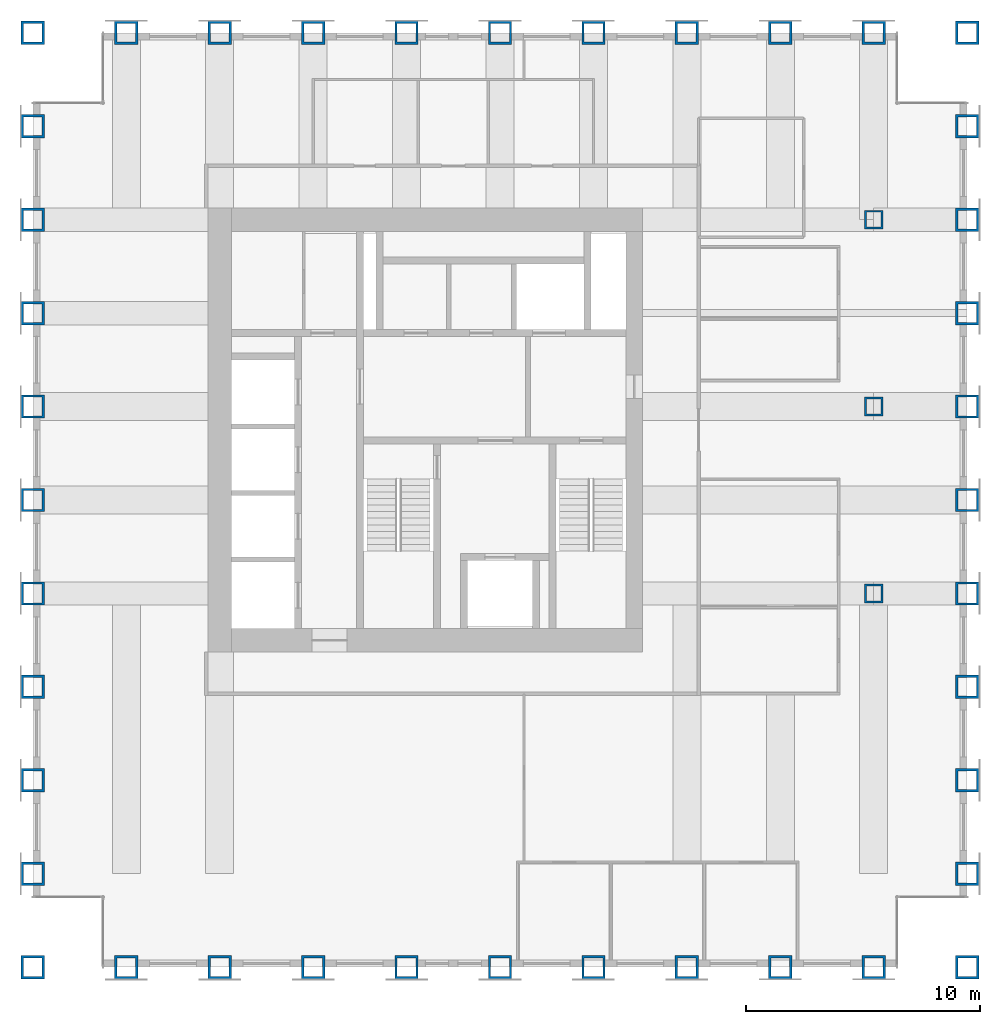
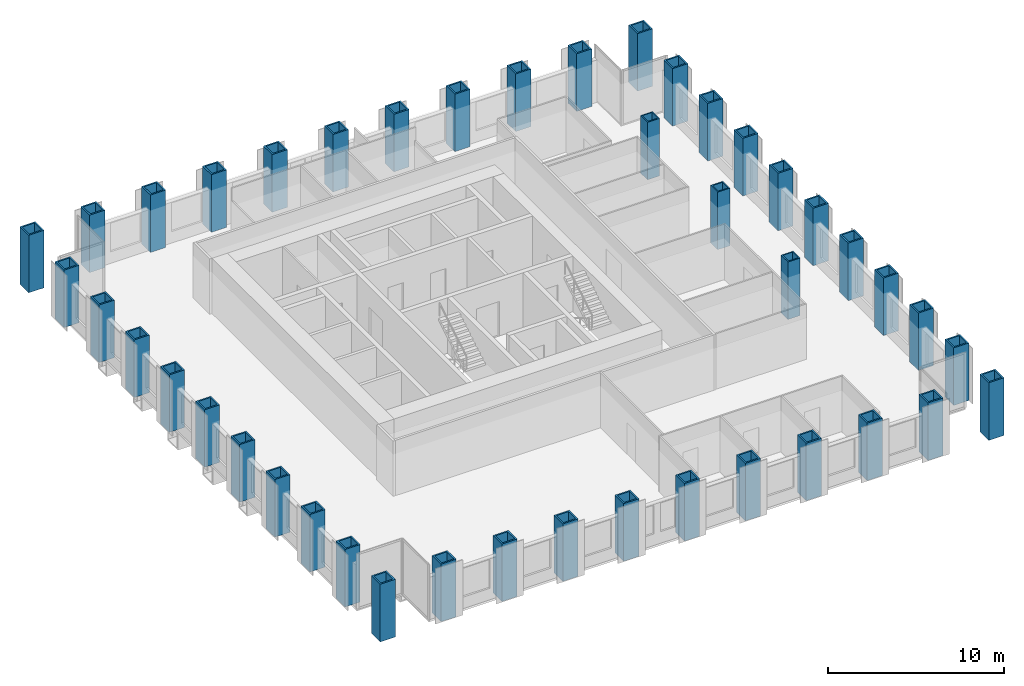
# One storey, part 1 of 11: 43 columns.
"""IFC4 building model written with IfcOpenShell, lengths in metres."""

from ifc_helpers import new_model, si_unit, direction, frame, origin, origin_2d, place, context, subcontext, project, spatial, hollow_rectangle, extrude, material, material_profile, profile_set, type_object, element, save


model = new_model("IFC4")

# Units and contexts
model_context = context("Model", 3, precision=1e-05, world=origin(), true_north=direction((0.0, 1.0)))
body_context = subcontext(model_context, "Body", "Model", "MODEL_VIEW")
ifc_project = project(units=[si_unit("LENGTHUNIT", "METRE"), si_unit("AREAUNIT", "SQUARE_METRE"), si_unit("VOLUMEUNIT", "CUBIC_METRE"), si_unit("PLANEANGLEUNIT", "RADIAN"), si_unit("MASSUNIT", "GRAM", prefix="KILO")], contexts=[model_context])

# Site, building, storey
site_placement = place(None, origin())
site = spatial("IfcSite", under=ifc_project, at=site_placement, CompositionType="ELEMENT")
building_placement = place(site_placement, origin())
building = spatial("IfcBuilding", under=site, at=building_placement, Name="Rimbunsela Tower", CompositionType="ELEMENT")
storey_placement = place(building_placement, frame((0.0, 0.0, 242.199951171875)))
storey = spatial("IfcBuildingStorey", under=building, at=storey_placement, Name="L58", CompositionType="ELEMENT", Elevation=242.199951171875)

# Columns
ifc_material_1 = material(Name="Steel BJ 55 (fy 410 MPa)", Category="steel")
ifc_material_profile_1 = material_profile(ifc_material_1, hollow_rectangle(XDim=1.0, YDim=1.0, WallThickness=0.10009765625, at=origin_2d()), Name="BOX 1000x1000x100")
ifc_profile_set_1 = profile_set([ifc_material_profile_1], Name="Steel BJ 55 (fy 410 MPa)")
column_type_1 = type_object("IfcColumnType", Name="Column BOX 1000x1000x100", PredefinedType="COLUMN", material=ifc_profile_set_1)
for number, where, z_axis, x_axis, name in (
    (1, (10.0, 4.0, 0.0), (0.0, 0.0, 1.0), (1.0, 0.0, 0.0), "Column C1 5/C L58"),
    (2, (10.0, 8.0, 0.0), (0.0, 0.0, 1.0), (1.0, 0.0, 0.0), "Column C1 5/D L58"),
    (3, (10.0, 12.0, 0.0), (0.0, 0.0, 1.0), (1.0, 0.0, 0.0), "Column C1 5/E L58"),
    (4, (10.0, 16.0, 0.0), (0.0, 0.0, 1.0), (1.0, 0.0, 0.0), "Column C1 5/F L58"),
    (5, (10.0, 20.0, 0.0), (0.0, 0.0, 1.0), (1.0, 0.0, 0.0), "Column C1 5/G L58"),
    (6, (10.0, 24.0, 0.0), (0.0, 0.0, 1.0), (1.0, 0.0, 0.0), "Column C1 5/H L58"),
    (7, (10.0, 28.0, 0.0), (0.0, 0.0, 1.0), (1.0, 0.0, 0.0), "Column C1 5/J L58"),
    (8, (10.0, 32.0, 0.0), (0.0, 0.0, 1.0), (1.0, 0.0, 0.0), "Column C1 5/K L58"),
    (9, (10.0, 36.0, 0.0), (0.0, 0.0, 1.0), (1.0, 0.0, 0.0), "Column C1 5/L L58"),
    (10, (10.0, 40.0, 0.0), (0.0, 0.0, 1.0), (1.0, 0.0, 0.0), "Column C1 5/M L58"),
    (11, (10.0, 44.0, 0.0), (0.0, 0.0, 1.0), (1.0, 0.0, 0.0), "Column C1 5/N L58"),
    (12, (14.0, 4.0, 0.0), (0.0, 0.0, 1.0), (1.0, 0.0, 0.0), "Column C1 6/C L58"),
    (13, (14.0, 44.0, 0.0), (0.0, 0.0, 1.0), (1.0, 0.0, 0.0), "Column C1 6/N L58"),
    (14, (18.0, 4.0, 0.0), (0.0, 0.0, 1.0), (1.0, 0.0, 0.0), "Column C1 7/C L58"),
    (15, (18.0, 44.0, 0.0), (0.0, 0.0, 1.0), (1.0, 0.0, 0.0), "Column C1 7/N L58"),
    (16, (22.0, 4.0, 0.0), (0.0, 0.0, 1.0), (1.0, 0.0, 0.0), "Column C1 8/C L58"),
    (17, (22.0, 44.0, 0.0), (0.0, 0.0, 1.0), (1.0, 0.0, 0.0), "Column C1 8/N L58"),
    (18, (26.0, 4.0, 0.0), (0.0, 0.0, 1.0), (1.0, 0.0, 0.0), "Column C1 9/C L58"),
    (19, (26.0, 44.0, 0.0), (0.0, 0.0, 1.0), (1.0, 0.0, 0.0), "Column C1 9/N L58"),
    (20, (30.0, 4.0, 0.0), (0.0, 0.0, 1.0), (1.0, 0.0, 0.0), "Column C1 10/C L58"),
    (21, (30.0, 44.0, 0.0), (0.0, 0.0, 1.0), (1.0, 0.0, 0.0), "Column C1 10/N L58"),
    (22, (34.0, 4.0, 0.0), (0.0, 0.0, 1.0), (1.0, 0.0, 0.0), "Column C1 11/C L58"),
    (23, (34.0, 44.0, 0.0), (0.0, 0.0, 1.0), (1.0, 0.0, 0.0), "Column C1 11/N L58"),
    (24, (38.0, 4.0, 0.0), (0.0, 0.0, 1.0), (1.0, 0.0, 0.0), "Column C1 12/C L58"),
    (25, (38.0, 44.0, 0.0), (0.0, 0.0, 1.0), (1.0, 0.0, 0.0), "Column C1 12/N L58"),
    (26, (42.0, 4.0, 0.0), (0.0, 0.0, 1.0), (1.0, 0.0, 0.0), "Column C1 13/C L58"),
    (27, (42.0, 44.0, 0.0), (0.0, 0.0, 1.0), (1.0, 0.0, 0.0), "Column C1 13/N L58"),
    (28, (46.0, 4.0, 0.0), (0.0, 0.0, 1.0), (1.0, 0.0, 0.0), "Column C1 14/C L58"),
    (29, (46.0, 44.0, 0.0), (0.0, 0.0, 1.0), (1.0, 0.0, 0.0), "Column C1 14/N L58"),
    (30, (50.0, 4.0, 0.0), (0.0, 0.0, 1.0), (1.0, 0.0, 0.0), "Column C1 15/C L58"),
    (31, (50.0, 8.0, 0.0), (0.0, 0.0, 1.0), (1.0, 0.0, 0.0), "Column C1 15/D L58"),
    (32, (50.0, 12.0, 0.0), (0.0, 0.0, 1.0), (1.0, 0.0, 0.0), "Column C1 15/E L58"),
    (33, (50.0, 16.0, 0.0), (0.0, 0.0, 1.0), (1.0, 0.0, 0.0), "Column C1 15/F L58"),
    (34, (50.0, 20.0, 0.0), (0.0, 0.0, 1.0), (1.0, 0.0, 0.0), "Column C1 15/G L58"),
    (35, (50.0, 24.0, 0.0), (0.0, 0.0, 1.0), (1.0, 0.0, 0.0), "Column C1 15/H L58"),
    (36, (50.0, 28.0, 0.0), (0.0, 0.0, 1.0), (1.0, 0.0, 0.0), "Column C1 15/J L58"),
    (37, (50.0, 32.0, 0.0), (0.0, 0.0, 1.0), (1.0, 0.0, 0.0), "Column C1 15/K L58"),
    (38, (50.0, 36.0, 0.0), (0.0, 0.0, 1.0), (1.0, 0.0, 0.0), "Column C1 15/L L58"),
    (39, (50.0, 40.0, 0.0), (0.0, 0.0, 1.0), (1.0, 0.0, 0.0), "Column C1 15/M L58"),
    (40, (50.0, 44.0, 0.0), (0.0, 0.0, 1.0), (1.0, 0.0, 0.0), "Column C1 15/N L58"),
):
    element("IfcColumn", number, at=place(storey_placement, frame(where, z_axis=z_axis, x_axis=x_axis)), inside=storey, type_object=column_type_1, Name=name, PredefinedType="COLUMN", context=body_context, shape_type="SweptSolid", body=[
        extrude(hollow_rectangle(XDim=1.0, YDim=1.0, WallThickness=0.10009765625, at=origin_2d()), origin(), (0.0, 0.0, 1.0), 4.0),
    ])
ifc_material_2 = material(Name="Steel BJ 55 (fy 410 MPa)", Category="steel")
ifc_material_profile_2 = material_profile(ifc_material_2, hollow_rectangle(XDim=0.800048828125, YDim=0.800048828125, WallThickness=0.080078125, at=origin_2d()), Name="BOX 800x800x80")
ifc_profile_set_2 = profile_set([ifc_material_profile_2], Name="Steel BJ 55 (fy 410 MPa)")
column_type_2 = type_object("IfcColumnType", Name="Column BOX 800x800x80", PredefinedType="COLUMN", material=ifc_profile_set_2)
for number, where, z_axis, x_axis, name in (
    (41, (46.0, 20.0, 0.0), (0.0, 0.0, 1.0), (1.0, 0.0, 0.0), "Column C2 14/G L58"),
    (42, (46.0, 28.0, 0.0), (0.0, 0.0, 1.0), (1.0, 0.0, 0.0), "Column C2 14/J L58"),
    (43, (46.0, 36.0, 0.0), (0.0, 0.0, 1.0), (1.0, 0.0, 0.0), "Column C2 14/L L58"),
):
    element("IfcColumn", number, at=place(storey_placement, frame(where, z_axis=z_axis, x_axis=x_axis)), inside=storey, type_object=column_type_2, Name=name, PredefinedType="COLUMN", context=body_context, shape_type="SweptSolid", body=[
        extrude(hollow_rectangle(XDim=0.800048828125, YDim=0.800048828125, WallThickness=0.080078125, at=origin_2d()), origin(), (0.0, 0.0, 1.0), 4.0),
    ])

save(model, "model.ifc")
